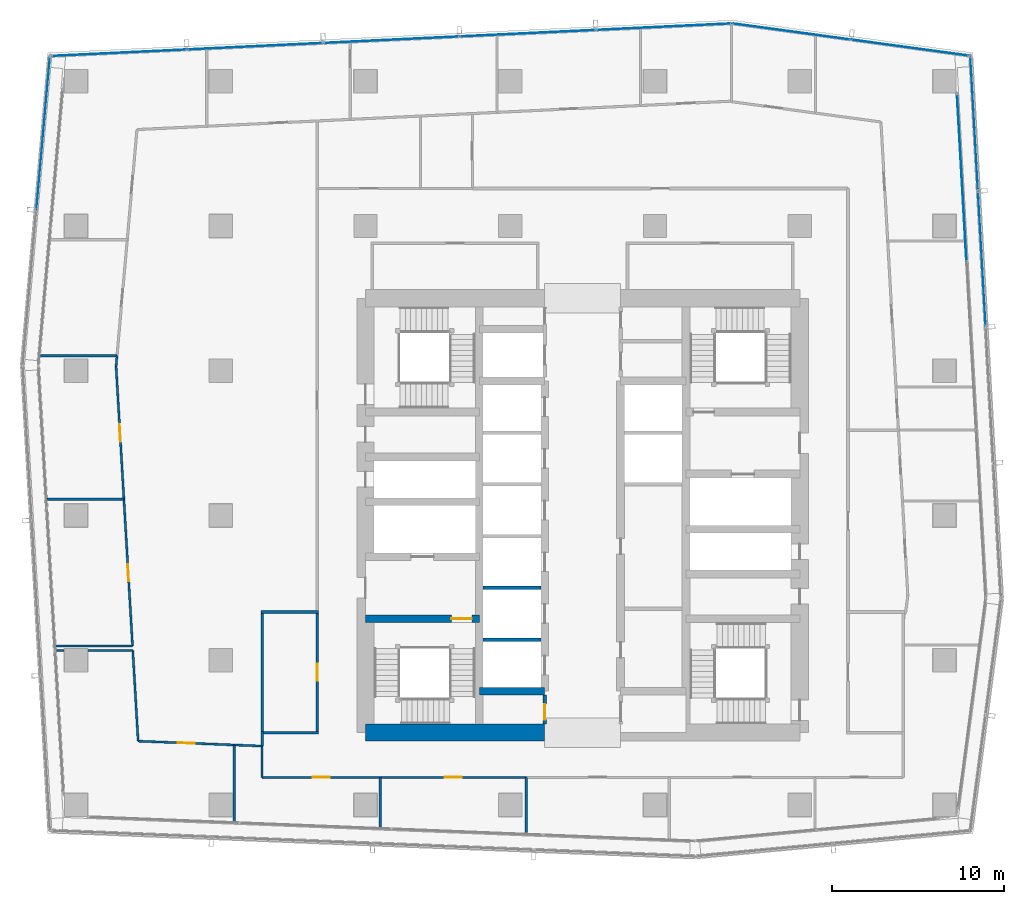
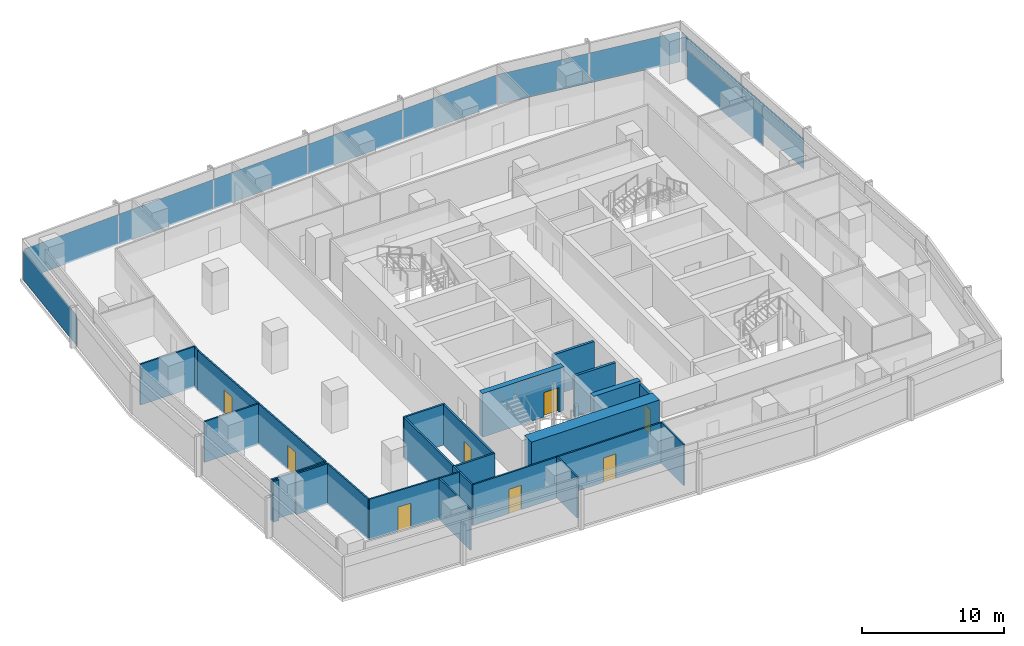
# One storey, part 27 of 39: 28 walls, 11 plates, 8 doors, 8 openings, 5 elements without a shape of their own.
"""IFC4 building model written with IfcOpenShell, lengths in metres."""

from ifc_helpers import new_model, si_unit, direction, frame, frame_2d, origin, origin_2d, place, context, subcontext, project, spatial, rectangle, extrude, material, layer, layer_set, type_object, element, fill, aggregate, save


model = new_model("IFC4")

# Units and contexts
model_context = context("Model", 3, precision=1e-05, world=origin(), true_north=direction((0.0, 1.0)))
body_context = subcontext(model_context, "Body", "Model", "MODEL_VIEW")
ifc_project = project(units=[si_unit("LENGTHUNIT", "METRE"), si_unit("AREAUNIT", "SQUARE_METRE"), si_unit("VOLUMEUNIT", "CUBIC_METRE"), si_unit("PLANEANGLEUNIT", "RADIAN"), si_unit("MASSUNIT", "GRAM", prefix="KILO")], contexts=[model_context])

# Site, building, storey
site_placement = place(None, origin())
site = spatial("IfcSite", under=ifc_project, at=site_placement, CompositionType="ELEMENT")
building_placement = place(site_placement, origin())
building = spatial("IfcBuilding", under=site, at=building_placement, Name="Rekha Terrace Tower", CompositionType="ELEMENT")
storey_placement = place(building_placement, frame((0.0, 0.0, 187.699951171875)))
storey = spatial("IfcBuildingStorey", under=building, at=storey_placement, Name="L47", CompositionType="ELEMENT", Elevation=187.699951171875)

# Curtain wall, plate
ifc_material_1 = material(Name="Aluminium framing", Category="aluminium")
curtain_wall_type_1 = type_object("IfcCurtainWallType", Name="CW1 double skin inner glazing", PredefinedType="USERDEFINED", material=ifc_material_1)
curtain_wall_1_placement = place(storey_placement, origin())
curtain_wall_1 = element("IfcCurtainWall", 1, at=curtain_wall_1_placement, inside=storey, type_object=curtain_wall_type_1, Name="CW1 double skin inner glazing", ObjectType="DOUBLE SKIN INNER GLAZING", PredefinedType="USERDEFINED")
ifc_material_2 = material(Name="Double-glazed low-e unit 32", Category="glass")
ifc_layer_1 = layer(ifc_material_2, 0.031982421875)
ifc_layer_set_1 = layer_set([ifc_layer_1], Name="Double-glazed low-e unit 32")
plate_type_1 = type_object("IfcPlateType", Name="CW1 jumbo vision panel, double-glazed low-e unit 32", PredefinedType="CURTAIN_PANEL", material=ifc_layer_set_1)
plate_1_placement = place(storey_placement, frame((59.799560546875, 53.203369140625, 0.0), z_axis=(0.0, 0.0, 1.0), x_axis=(-0.05667319486, 0.998392782919, 0.0)))
plate_1 = element("IfcPlate", 2, at=plate_1_placement, type_object=plate_type_1, Name="CW1 panel 3.1", PredefinedType="CURTAIN_PANEL", context=body_context, shape_type="SweptSolid", body=[
    extrude(rectangle(XDim=9.694091796875, YDim=0.031982421875, at=origin_2d()), origin(), (0.0, 0.0, 1.0), 2.60009765625),
])
aggregate(curtain_wall_1, [plate_1])

# Curtain wall, plates
curtain_wall_type_2 = type_object("IfcCurtainWallType", Name="CW2 double skin outer glazing", PredefinedType="USERDEFINED", material=ifc_material_1)
curtain_wall_2_placement = place(storey_placement, origin())
curtain_wall_2 = element("IfcCurtainWall", 3, at=curtain_wall_2_placement, inside=storey, type_object=curtain_wall_type_2, Name="CW2 double skin outer glazing", ObjectType="DOUBLE SKIN OUTER GLAZING", PredefinedType="USERDEFINED")
ifc_material_3 = material(Name="Toughened single glazing 12", Category="glass")
ifc_layer_2 = layer(ifc_material_3, 0.011962890625)
ifc_layer_set_2 = layer_set([ifc_layer_2], Name="Toughened single glazing 12")
plate_type_2 = type_object("IfcPlateType", Name="CW2 jumbo vision panel, toughened single glazing 12", PredefinedType="CURTAIN_PANEL", material=ifc_layer_set_2)
plate_2_placement = place(storey_placement, frame((60.9697265625, 48.47314453125, 0.0), z_axis=(0.0, 0.0, 1.0), x_axis=(-0.05667319486, 0.998392782919, 0.0)))
plate_2 = element("IfcPlate", 4, at=plate_2_placement, type_object=plate_type_2, Name="CW2 panel 3.1", PredefinedType="CURTAIN_PANEL", context=body_context, shape_type="SweptSolid", body=[
    extrude(rectangle(XDim=7.823486328125, YDim=0.011962890625, at=origin_2d()), origin(), (0.0, 0.0, 1.0), 2.60009765625),
])
plate_3_placement = place(storey_placement, frame((60.522705078125, 56.343994140625, 0.0), z_axis=(0.0, 0.0, 1.0), x_axis=(-0.05667319486, 0.998392782919, 0.0)))
plate_3 = element("IfcPlate", 5, at=plate_3_placement, type_object=plate_type_2, Name="CW2 panel 4.1", PredefinedType="CURTAIN_PANEL", context=body_context, shape_type="SweptSolid", body=[
    extrude(rectangle(XDim=7.783447265625, YDim=0.011962890625, at=origin_2d()), origin(), (0.0, 0.0, 1.0), 2.60009765625),
])
aggregate(curtain_wall_2, [plate_2, plate_3])

# Curtain wall, plate
curtain_wall_3_placement = place(storey_placement, origin())
curtain_wall_3 = element("IfcCurtainWall", 6, at=curtain_wall_3_placement, inside=storey, type_object=curtain_wall_type_2, Name="CW2 double skin outer glazing", ObjectType="DOUBLE SKIN OUTER GLAZING", PredefinedType="USERDEFINED")
plate_4_placement = place(storey_placement, frame((6.498779296875, 55.78466796875, 0.0), z_axis=(0.0, 0.0, 1.0), x_axis=(-0.087957985453, -0.996124185428, 0.0)))
plate_4 = element("IfcPlate", 7, at=plate_4_placement, type_object=plate_type_2, Name="CW2 panel 1.1", PredefinedType="CURTAIN_PANEL", context=body_context, shape_type="SweptSolid", body=[
    extrude(rectangle(XDim=8.899658203125, YDim=0.011962890625, at=origin_2d()), origin(), (0.0, 0.0, 1.0), 2.60009765625),
])
aggregate(curtain_wall_3, [plate_4])

# Curtain wall, plates
curtain_wall_type_3 = type_object("IfcCurtainWallType", Name="CW3 north unitised glazing", PredefinedType="USERDEFINED", material=ifc_material_1)
curtain_wall_4_placement = place(storey_placement, origin())
curtain_wall_4 = element("IfcCurtainWall", 8, at=curtain_wall_4_placement, inside=storey, type_object=curtain_wall_type_3, Name="CW3 unitised curtain wall", ObjectType="UNITISED CURTAIN WALL", PredefinedType="USERDEFINED")
ifc_material_4 = material(Name="Double-glazed unit 28", Category="glass")
ifc_layer_3 = layer(ifc_material_4, 0.028076171875)
ifc_layer_set_3 = layer_set([ifc_layer_3], Name="Double-glazed unit 28")
plate_type_3 = type_object("IfcPlateType", Name="CW3 jumbo vision panel, double-glazed unit 28", PredefinedType="CURTAIN_PANEL", material=ifc_layer_set_3)
plate_5_placement = place(storey_placement, frame((56.797119140625, 60.745361328125, 0.0), z_axis=(0.0, 0.0, 1.0), x_axis=(-0.990867270504, 0.134840840416, 0.0)))
plate_5 = element("IfcPlate", 9, at=plate_5_placement, type_object=plate_type_3, Name="CW3 panel 1.1", PredefinedType="CURTAIN_PANEL", context=body_context, shape_type="SweptSolid", body=[
    extrude(rectangle(XDim=6.8486328125, YDim=0.028076171875, at=origin_2d()), origin(), (0.0, 0.0, 1.0), 2.60009765625),
])
plate_6_placement = place(storey_placement, frame((49.906982421875, 61.682861328125, 0.0), z_axis=(0.0, 0.0, 1.0), x_axis=(-0.990867270504, 0.134840840416, 0.0)))
plate_6 = element("IfcPlate", 10, at=plate_6_placement, type_object=plate_type_3, Name="CW3 panel 2.1", PredefinedType="CURTAIN_PANEL", context=body_context, shape_type="SweptSolid", body=[
    extrude(rectangle(XDim=6.918701171875, YDim=0.028076171875, at=origin_2d()), origin(), (0.0, 0.0, 1.0), 2.60009765625),
])
aggregate(curtain_wall_4, [plate_5, plate_6])

curtain_wall_5_placement = place(storey_placement, origin())
curtain_wall_5 = element("IfcCurtainWall", 11, at=curtain_wall_5_placement, inside=storey, type_object=curtain_wall_type_3, Name="CW3 unitised curtain wall", ObjectType="UNITISED CURTAIN WALL", PredefinedType="USERDEFINED")
plate_7_placement = place(storey_placement, frame((42.50732421875, 61.95947265625, 0.0), z_axis=(0.0, 0.0, 1.0), x_axis=(-0.998858906204, -0.047758616983, 0.0)))
plate_7 = element("IfcPlate", 12, at=plate_7_placement, type_object=plate_type_3, Name="CW3 panel 1.1", PredefinedType="CURTAIN_PANEL", context=body_context, shape_type="SweptSolid", body=[
    extrude(rectangle(XDim=7.81298828125, YDim=0.028076171875, at=origin_2d()), origin(), (0.0, 0.0, 1.0), 2.60009765625),
])
plate_8_placement = place(storey_placement, frame((34.61572265625, 61.58203125, 0.0), z_axis=(0.0, 0.0, 1.0), x_axis=(-0.998858906204, -0.047758616983, 0.0)))
plate_8 = element("IfcPlate", 13, at=plate_8_placement, type_object=plate_type_3, Name="CW3 panel 2.1", PredefinedType="CURTAIN_PANEL", context=body_context, shape_type="SweptSolid", body=[
    extrude(rectangle(XDim=7.84814453125, YDim=0.028076171875, at=origin_2d()), origin(), (0.0, 0.0, 1.0), 2.60009765625),
])
plate_9_placement = place(storey_placement, frame((26.70654296875, 61.203857421875, 0.0), z_axis=(0.0, 0.0, 1.0), x_axis=(-0.998858906204, -0.047758616983, 0.0)))
plate_9 = element("IfcPlate", 14, at=plate_9_placement, type_object=plate_type_3, Name="CW3 panel 3.1", PredefinedType="CURTAIN_PANEL", context=body_context, shape_type="SweptSolid", body=[
    extrude(rectangle(XDim=7.84814453125, YDim=0.028076171875, at=origin_2d()), origin(), (0.0, 0.0, 1.0), 2.60009765625),
])
plate_10_placement = place(storey_placement, frame((18.79736328125, 60.82568359375, 0.0), z_axis=(0.0, 0.0, 1.0), x_axis=(-0.998858906204, -0.047758616983, 0.0)))
plate_10 = element("IfcPlate", 15, at=plate_10_placement, type_object=plate_type_3, Name="CW3 panel 4.1", PredefinedType="CURTAIN_PANEL", context=body_context, shape_type="SweptSolid", body=[
    extrude(rectangle(XDim=7.84814453125, YDim=0.028076171875, at=origin_2d()), origin(), (0.0, 0.0, 1.0), 2.60009765625),
])
plate_11_placement = place(storey_placement, frame((10.906005859375, 60.448486328125, 0.0), z_axis=(0.0, 0.0, 1.0), x_axis=(-0.998858906204, -0.047758616983, 0.0)))
plate_11 = element("IfcPlate", 16, at=plate_11_placement, type_object=plate_type_3, Name="CW3 panel 5.1", PredefinedType="CURTAIN_PANEL", context=body_context, shape_type="SweptSolid", body=[
    extrude(rectangle(XDim=7.81298828125, YDim=0.028076171875, at=origin_2d()), origin(), (0.0, 0.0, 1.0), 2.60009765625),
])
aggregate(curtain_wall_5, [plate_7, plate_8, plate_9, plate_10, plate_11])

# Wall
ifc_material_5 = material(Name="Concrete M60", Category="concrete")
ifc_layer_4 = layer(ifc_material_5, 0.449951171875)
ifc_layer_set_4 = layer_set([ifc_layer_4], Name="Concrete M60")
wall_type_1 = type_object("IfcWallType", Name="CI3 450 core internal shear wall", PredefinedType="SHEAR", material=ifc_layer_set_4)
wall_1_placement = place(storey_placement, frame((31.800048828125, 23.39990234375, 0.0), z_axis=(0.0, 0.0, 1.0), x_axis=(1.0, 0.0, 0.0)))
element("IfcWall", 17, at=wall_1_placement, inside=storey, type_object=wall_type_1, Name="Core wall Y234W L47", PredefinedType="SHEAR", context=body_context, shape_type="SweptSolid", body=[
    extrude(rectangle(XDim=3.800048828125, YDim=0.449951171875, at=frame_2d((1.89990234375, 0.0))), origin(), (0.0, 0.0, 1.0), 3.75),
])

# Wall, opening, door
wall_2_placement = place(storey_placement, frame((25.199951171875, 27.60009765625, 0.0), z_axis=(0.0, 0.0, 1.0), x_axis=(1.0, 0.0, 0.0)))
wall_2 = element("IfcWall", 18, at=wall_2_placement, inside=storey, type_object=wall_type_1, Name="Core wall Y276W L47", PredefinedType="SHEAR", context=body_context, shape_type="SweptSolid", body=[
    extrude(rectangle(XDim=6.60009765625, YDim=0.449951171875, at=frame_2d((3.300048828125, 0.0))), origin(), (0.0, 0.0, 1.0), 3.75),
])
opening_1_placement = place(wall_2_placement, frame((4.97509765625, 0.0, 0.0)))
opening_1 = element("IfcOpeningElement", 19, at=opening_1_placement, cuts=wall_2, Name="Opening D1", PredefinedType="OPENING", context=body_context, shape_type="SweptSolid", body=[
    extrude(rectangle(XDim=1.199951171875, YDim=2.10009765625, at=frame_2d((0.60009765625, 1.050048828125))), frame((0.0, 0.23486328125, 0.0), z_axis=(0.0, -1.0, 0.0), x_axis=(1.0, 0.0, 0.0)), (0.0, 0.0, 1.0), 0.469970703125),
])
ifc_material_6 = material(Name="Steel fire door", Category="steel")
door_type_1 = type_object("IfcDoorType", Name="D1 1200x2100 stair fire door", OperationType="SINGLE_SWING_RIGHT", PredefinedType="DOOR", material=ifc_material_6)
door_1_placement = place(opening_1_placement, origin())
door_1 = element("IfcDoor", 20, at=door_1_placement, inside=storey, type_object=door_type_1, Name="Stair ST1 door L47", OperationType="SINGLE_SWING_RIGHT", OverallHeight=2.10009765625, OverallWidth=1.199951171875, PredefinedType="DOOR", context=body_context, shape_type="SweptSolid", body=[
    extrude(rectangle(XDim=1.199951171875, YDim=2.10009765625, at=frame_2d((0.60009765625, 1.050048828125))), frame((0.0, 0.02490234375, 0.0), z_axis=(0.0, -1.0, 0.0), x_axis=(1.0, 0.0, 0.0)), (0.0, 0.0, 1.0), 0.050048828125),
])
fill(opening_1, door_1)

# Walls
ifc_layer_5 = layer(ifc_material_5, 1.0)
ifc_layer_set_5 = layer_set([ifc_layer_5], Name="Concrete M60")
wall_type_2 = type_object("IfcWallType", Name="SW3 1000 core outer shear wall", PredefinedType="SHEAR", material=ifc_layer_set_5)
wall_3_placement = place(storey_placement, frame((25.199951171875, 21.0, 0.0), z_axis=(0.0, 0.0, 1.0), x_axis=(1.0, 0.0, 0.0)))
element("IfcWall", 21, at=wall_3_placement, inside=storey, type_object=wall_type_2, Name="Core wall S1 L47", PredefinedType="SHEAR", context=body_context, shape_type="SweptSolid", body=[
    extrude(rectangle(XDim=10.400146484375, YDim=1.0, at=frame_2d((5.2001953125, 0.0))), origin(), (0.0, 0.0, 1.0), 3.75),
])
ifc_material_7 = material(Name="Concrete block masonry, 1 hour", Category="masonry")
ifc_layer_6 = layer(ifc_material_7, 0.14990234375)
ifc_layer_set_6 = layer_set([ifc_layer_6], Name="Concrete block masonry, 1 hour")
wall_type_3 = type_object("IfcWallType", Name="WP2 150 tenancy partition", PredefinedType="PARTITIONING", material=ifc_layer_set_6)
for number, where, z_axis, x_axis, name in (
    (22, (19.125, 21.0, 0.0), (0.0, 0.0, 1.0), (1.0, 0.0, 0.0), "Men's WC wall L47"),
    (23, (19.125, 28.0, 0.0), (0.0, 0.0, 1.0), (1.0, 0.0, 0.0), "Men's WC wall L47"),
):
    element("IfcWall", number, at=place(storey_placement, frame(where, z_axis=z_axis, x_axis=x_axis)), inside=storey, type_object=wall_type_3, Name=name, PredefinedType="PARTITIONING", context=body_context, shape_type="SweptSolid", body=[
        extrude(rectangle(XDim=3.35009765625, YDim=0.14990234375, at=frame_2d((1.675048828125, 0.0))), origin(), (0.0, 0.0, 1.0), 3.5),
    ])
wall_4_placement = place(storey_placement, frame((19.199951171875, 21.074951171875, 0.0), z_axis=(0.0, 0.0, 1.0), x_axis=(0.0, 1.0, 0.0)))
element("IfcWall", 24, at=wall_4_placement, inside=storey, type_object=wall_type_3, Name="Men's WC wall L47", PredefinedType="PARTITIONING", context=body_context, shape_type="SweptSolid", body=[
    extrude(rectangle(XDim=6.85009765625, YDim=0.14990234375, at=frame_2d((3.425048828125, 0.0))), origin(), (0.0, 0.0, 1.0), 3.5),
])

# Wall, opening, door
wall_5_placement = place(storey_placement, frame((22.39990234375, 21.074951171875, 0.0), z_axis=(0.0, 0.0, 1.0), x_axis=(0.0, 1.0, 0.0)))
wall_5 = element("IfcWall", 25, at=wall_5_placement, inside=storey, type_object=wall_type_3, Name="Men's WC wall L47", PredefinedType="PARTITIONING", context=body_context, shape_type="SweptSolid", body=[
    extrude(rectangle(XDim=6.85009765625, YDim=0.14990234375, at=frame_2d((3.425048828125, 0.0))), origin(), (0.0, 0.0, 1.0), 3.5),
])
opening_2_placement = place(wall_5_placement, frame((2.925048828125, 0.0, 0.0)))
opening_2 = element("IfcOpeningElement", 26, at=opening_2_placement, cuts=wall_5, Name="Opening D3", PredefinedType="OPENING", context=body_context, shape_type="SweptSolid", body=[
    extrude(rectangle(XDim=1.0, YDim=2.10009765625, at=frame_2d((0.5, 1.050048828125))), frame((0.0, 0.0849609375, 0.0), z_axis=(0.0, -1.0, 0.0), x_axis=(1.0, 0.0, 0.0)), (0.0, 0.0, 1.0), 0.169921875),
])
ifc_material_8 = material(Name="Laminated timber fire door", Category="wood")
door_type_2 = type_object("IfcDoorType", Name="D3 1000x2100 WC door", OperationType="SINGLE_SWING_LEFT", PredefinedType="DOOR", material=ifc_material_8)
door_2_placement = place(opening_2_placement, origin())
door_2 = element("IfcDoor", 27, at=door_2_placement, inside=storey, type_object=door_type_2, Name="Door men's wc L47", OperationType="SINGLE_SWING_LEFT", OverallHeight=2.10009765625, OverallWidth=1.0, PredefinedType="DOOR", context=body_context, shape_type="SweptSolid", body=[
    extrude(rectangle(XDim=1.0, YDim=2.10009765625, at=frame_2d((0.5, 1.050048828125))), frame((0.0, 0.02490234375, 0.0), z_axis=(0.0, -1.0, 0.0), x_axis=(1.0, 0.0, 0.0)), (0.0, 0.0, 1.0), 0.050048828125),
])
fill(opening_2, door_2)

# Walls
wall_6_placement = place(storey_placement, frame((19.199951171875, 21.074951171875, 0.0), z_axis=(0.0, 0.0, 1.0), x_axis=(0.0, -1.0, 0.0)))
element("IfcWall", 28, at=wall_6_placement, inside=storey, type_object=wall_type_3, Name="Partition L47-O2b", PredefinedType="PARTITIONING", context=body_context, shape_type="SweptSolid", body=[
    extrude(rectangle(XDim=0.85693359375, YDim=0.14990234375, at=frame_2d((0.428466796875, 0.0))), origin(), (0.0, 0.0, 1.0), 3.5),
])
ifc_material_9 = material(Name="Two layers of fire-rated gypsum board each side on steel studs, acoustic quilt, 1 hour", Category="steel")
ifc_layer_7 = layer(ifc_material_9, 0.125)
ifc_layer_set_7 = layer_set([ifc_layer_7], Name="Two layers of fire-rated gypsum board each side on steel studs, acoustic quilt, 1 hour")
wall_type_4 = type_object("IfcWallType", Name="WP3 125 office partition", PredefinedType="PARTITIONING", material=ifc_layer_set_7)
wall_7_placement = place(storey_placement, frame((34.531005859375, 15.181884765625, 0.0), z_axis=(0.0, 0.0, 1.0), x_axis=(0.0, 1.0, 0.0)))
element("IfcWall", 29, at=wall_7_placement, inside=storey, type_object=wall_type_4, Name="Partition L47-02", PredefinedType="PARTITIONING", context=body_context, shape_type="SweptSolid", body=[
    extrude(rectangle(XDim=3.218017578125, YDim=0.125, at=frame_2d((1.60888671875, 0.0))), origin(), (0.0, 0.0, 1.0), 3.5),
])
wall_8_placement = place(storey_placement, frame((7.26708984375, 25.76611328125, 0.0), z_axis=(0.0, 0.0, 1.0), x_axis=(1.0, 0.0, 0.0)))
element("IfcWall", 30, at=wall_8_placement, inside=storey, type_object=wall_type_4, Name="Partition L47-07", PredefinedType="PARTITIONING", context=body_context, shape_type="SweptSolid", body=[
    extrude(rectangle(XDim=0.43798828125, YDim=0.125, at=frame_2d((0.218994140625, 0.0))), origin(), (0.0, 0.0, 1.0), 3.5),
])
wall_9_placement = place(storey_placement, frame((9.094970703125, 25.76611328125, 0.0), z_axis=(0.0, 0.0, 1.0), x_axis=(1.0, 0.0, 0.0)))
element("IfcWall", 31, at=wall_9_placement, inside=storey, type_object=wall_type_4, Name="Partition L47-07", PredefinedType="PARTITIONING", context=body_context, shape_type="SweptSolid", body=[
    extrude(rectangle(XDim=2.60009765625, YDim=0.125, at=frame_2d((1.300048828125, 0.0))), origin(), (0.0, 0.0, 1.0), 3.5),
])
wall_10_placement = place(storey_placement, frame((11.695068359375, 25.76611328125, 0.0), z_axis=(0.0, 0.0, 1.0), x_axis=(0.058784478648, -0.998270697291, 0.0)))
element("IfcWall", 32, at=wall_10_placement, inside=storey, type_object=wall_type_4, Name="Partition L47-07", PredefinedType="PARTITIONING", context=body_context, shape_type="SweptSolid", body=[
    extrude(rectangle(XDim=5.270263671875, YDim=0.125, at=frame_2d((2.63525390625, 0.0))), origin(), (0.0, 0.0, 1.0), 3.5),
])

# Wall, opening, door
wall_11_placement = place(storey_placement, frame((12.0048828125, 20.5048828125, 0.0), z_axis=(0.0, 0.0, 1.0), x_axis=(0.999203122171, -0.039913915407, 0.0)))
wall_11 = element("IfcWall", 33, at=wall_11_placement, inside=storey, type_object=wall_type_4, Name="Partition L47-07", PredefinedType="PARTITIONING", context=body_context, shape_type="SweptSolid", body=[
    extrude(rectangle(XDim=5.58447265625, YDim=0.125, at=frame_2d((2.792236328125, 0.0))), origin(), (0.0, 0.0, 1.0), 3.5),
])
opening_3_placement = place(wall_11_placement, frame((2.2919921875, 0.0, 0.0)))
opening_3 = element("IfcOpeningElement", 34, at=opening_3_placement, cuts=wall_11, Name="Opening D9", PredefinedType="OPENING", context=body_context, shape_type="SweptSolid", body=[
    extrude(rectangle(XDim=1.0, YDim=2.10009765625, at=frame_2d((0.5, 1.050048828125))), frame((0.0, 0.072509765625, 0.0), z_axis=(0.0, -1.0, 0.0), x_axis=(1.0, 0.0, 0.0)), (0.0, 0.0, 1.0), 0.14501953125),
])
ifc_material_10 = material(Name="Timber fire door", Category="wood")
door_type_3 = type_object("IfcDoorType", Name="D9 1000x2100 office door", OperationType="SINGLE_SWING_LEFT", PredefinedType="DOOR", material=ifc_material_10)
door_3_placement = place(opening_3_placement, origin())
door_3 = element("IfcDoor", 35, at=door_3_placement, inside=storey, type_object=door_type_3, Name="Door director's office L47", OperationType="SINGLE_SWING_LEFT", OverallHeight=2.10009765625, OverallWidth=1.0, PredefinedType="DOOR", context=body_context, shape_type="SweptSolid", body=[
    extrude(rectangle(XDim=1.0, YDim=2.10009765625, at=frame_2d((0.5, 1.050048828125))), frame((0.0, 0.02490234375, 0.0), z_axis=(0.0, -1.0, 0.0), x_axis=(1.0, 0.0, 0.0)), (0.0, 0.0, 1.0), 0.050048828125),
])
fill(opening_3, door_3)

# Walls
wall_12_placement = place(storey_placement, frame((17.5849609375, 20.281982421875, 0.0), z_axis=(0.0, 0.0, 1.0), x_axis=(0.0, -1.0, 0.0)))
element("IfcWall", 36, at=wall_12_placement, inside=storey, type_object=wall_type_4, Name="Partition L47-07", PredefinedType="PARTITIONING", context=body_context, shape_type="SweptSolid", body=[
    extrude(rectangle(XDim=4.452880859375, YDim=0.125, at=frame_2d((2.2265625, 0.0))), origin(), (0.0, 0.0, 1.0), 3.5),
])
wall_13_placement = place(storey_placement, frame((17.5859375, 20.281982421875, 0.0), z_axis=(0.0, 0.0, 1.0), x_axis=(0.999215619009, -0.039599832428, 0.0)))
element("IfcWall", 37, at=wall_13_placement, inside=storey, type_object=wall_type_4, Name="Partition L47-08", PredefinedType="PARTITIONING", context=body_context, shape_type="SweptSolid", body=[
    extrude(rectangle(XDim=1.615234375, YDim=0.125, at=frame_2d((0.8076171875, 0.0))), origin(), (0.0, 0.0, 1.0), 3.5),
])
wall_14_placement = place(storey_placement, frame((19.199951171875, 20.218017578125, 0.0), z_axis=(0.0, 0.0, 1.0), x_axis=(0.0, -1.0, 0.0)))
element("IfcWall", 38, at=wall_14_placement, inside=storey, type_object=wall_type_4, Name="Partition L47-08", PredefinedType="PARTITIONING", context=body_context, shape_type="SweptSolid", body=[
    extrude(rectangle(XDim=1.818115234375, YDim=0.125, at=frame_2d((0.9091796875, 0.0))), origin(), (0.0, 0.0, 1.0), 3.5),
])

# Wall, opening, door
wall_15_placement = place(storey_placement, frame((19.199951171875, 18.39990234375, 0.0), z_axis=(0.0, 0.0, 1.0), x_axis=(1.0, 0.0, 0.0)))
wall_15 = element("IfcWall", 39, at=wall_15_placement, inside=storey, type_object=wall_type_4, Name="Partition L47-08", PredefinedType="PARTITIONING", context=body_context, shape_type="SweptSolid", body=[
    extrude(rectangle(XDim=6.85693359375, YDim=0.125, at=frame_2d((3.428466796875, 0.0))), origin(), (0.0, 0.0, 1.0), 3.5),
])
opening_4_placement = place(wall_15_placement, frame((2.927978515625, 0.0, 0.0)))
opening_4 = element("IfcOpeningElement", 40, at=opening_4_placement, cuts=wall_15, Name="Opening D9", PredefinedType="OPENING", context=body_context, shape_type="SweptSolid", body=[
    extrude(rectangle(XDim=1.0, YDim=2.10009765625, at=frame_2d((0.5, 1.050048828125))), frame((0.0, 0.072509765625, 0.0), z_axis=(0.0, -1.0, 0.0), x_axis=(1.0, 0.0, 0.0)), (0.0, 0.0, 1.0), 0.14501953125),
])
door_4_placement = place(opening_4_placement, origin())
door_4 = element("IfcDoor", 41, at=door_4_placement, inside=storey, type_object=door_type_3, Name="Door office L47", OperationType="SINGLE_SWING_LEFT", OverallHeight=2.10009765625, OverallWidth=1.0, PredefinedType="DOOR", context=body_context, shape_type="SweptSolid", body=[
    extrude(rectangle(XDim=1.0, YDim=2.10009765625, at=frame_2d((0.5, 1.050048828125))), frame((0.0, 0.02490234375, 0.0), z_axis=(0.0, -1.0, 0.0), x_axis=(1.0, 0.0, 0.0)), (0.0, 0.0, 1.0), 0.050048828125),
])
fill(opening_4, door_4)

# Wall
wall_16_placement = place(storey_placement, frame((26.056884765625, 18.39990234375, 0.0), z_axis=(0.0, 0.0, 1.0), x_axis=(0.0, -1.0, 0.0)))
element("IfcWall", 42, at=wall_16_placement, inside=storey, type_object=wall_type_4, Name="Partition L47-08", PredefinedType="PARTITIONING", context=body_context, shape_type="SweptSolid", body=[
    extrude(rectangle(XDim=2.909912109375, YDim=0.125, at=frame_2d((1.455078125, 0.0))), origin(), (0.0, 0.0, 1.0), 3.5),
])

# Wall, opening, door
wall_17_placement = place(storey_placement, frame((26.05810546875, 18.39990234375, 0.0), z_axis=(0.0, 0.0, 1.0), x_axis=(1.0, 0.0, 0.0)))
wall_17 = element("IfcWall", 43, at=wall_17_placement, inside=storey, type_object=wall_type_4, Name="Partition L47-09", PredefinedType="PARTITIONING", context=body_context, shape_type="SweptSolid", body=[
    extrude(rectangle(XDim=8.471923828125, YDim=0.125, at=frame_2d((4.23583984375, 0.0))), origin(), (0.0, 0.0, 1.0), 3.5),
])
opening_5_placement = place(wall_17_placement, frame((3.736083984375, 0.0, 0.0)))
opening_5 = element("IfcOpeningElement", 44, at=opening_5_placement, cuts=wall_17, Name="Opening D9", PredefinedType="OPENING", context=body_context, shape_type="SweptSolid", body=[
    extrude(rectangle(XDim=1.0, YDim=2.10009765625, at=frame_2d((0.5, 1.050048828125))), frame((0.0, 0.072509765625, 0.0), z_axis=(0.0, -1.0, 0.0), x_axis=(1.0, 0.0, 0.0)), (0.0, 0.0, 1.0), 0.14501953125),
])
door_5_placement = place(opening_5_placement, origin())
door_5 = element("IfcDoor", 45, at=door_5_placement, inside=storey, type_object=door_type_3, Name="Door meeting room L47", OperationType="SINGLE_SWING_LEFT", OverallHeight=2.10009765625, OverallWidth=1.0, PredefinedType="DOOR", context=body_context, shape_type="SweptSolid", body=[
    extrude(rectangle(XDim=1.0, YDim=2.10009765625, at=frame_2d((0.5, 1.050048828125))), frame((0.0, 0.02490234375, 0.0), z_axis=(0.0, -1.0, 0.0), x_axis=(1.0, 0.0, 0.0)), (0.0, 0.0, 1.0), 0.050048828125),
])
fill(opening_5, door_5)

# Walls
wall_18_placement = place(storey_placement, frame((10.780029296875, 42.87109375, 0.0), z_axis=(0.0, 0.0, 1.0), x_axis=(-1.0, 0.0, 0.0)))
element("IfcWall", 46, at=wall_18_placement, inside=storey, type_object=wall_type_4, Name="Partition L47-19", PredefinedType="PARTITIONING", context=body_context, shape_type="SweptSolid", body=[
    extrude(rectangle(XDim=4.43798828125, YDim=0.125, at=frame_2d((2.218994140625, 0.0))), origin(), (0.0, 0.0, 1.0), 3.5),
])
wall_19_placement = place(storey_placement, frame((11.178955078125, 34.537109375, 0.0), z_axis=(0.0, 0.0, 1.0), x_axis=(-1.0, 0.0, 0.0)))
element("IfcWall", 47, at=wall_19_placement, inside=storey, type_object=wall_type_4, Name="Partition L47-20", PredefinedType="PARTITIONING", context=body_context, shape_type="SweptSolid", body=[
    extrude(rectangle(XDim=4.4580078125, YDim=0.125, at=frame_2d((2.22900390625, 0.0))), origin(), (0.0, 0.0, 1.0), 3.5),
])
wall_20_placement = place(storey_placement, frame((10.780029296875, 42.8701171875, 0.0), z_axis=(0.0, 0.0, 1.0), x_axis=(-0.087962267132, -0.996123807346, 0.0)))
element("IfcWall", 48, at=wall_20_placement, inside=storey, type_object=wall_type_4, Name="Partition L47-20", PredefinedType="PARTITIONING", context=body_context, shape_type="SweptSolid", body=[
    extrude(rectangle(XDim=0.62451171875, YDim=0.125, at=frame_2d((0.312255859375, 0.0))), origin(), (0.0, 0.0, 1.0), 3.5),
])

# Wall, opening, door
wall_21_placement = place(storey_placement, frame((10.72509765625, 42.248046875, 0.0), z_axis=(0.0, 0.0, 1.0), x_axis=(0.058757225461, -0.998272301757, 0.0)))
wall_21 = element("IfcWall", 49, at=wall_21_placement, inside=storey, type_object=wall_type_4, Name="Partition L47-20", PredefinedType="PARTITIONING", context=body_context, shape_type="SweptSolid", body=[
    extrude(rectangle(XDim=7.724365234375, YDim=0.125, at=frame_2d((3.8623046875, 0.0))), origin(), (0.0, 0.0, 1.0), 3.5),
])
opening_6_placement = place(wall_21_placement, frame((3.362060546875, 0.0, 0.0)))
opening_6 = element("IfcOpeningElement", 50, at=opening_6_placement, cuts=wall_21, Name="Opening D9", PredefinedType="OPENING", context=body_context, shape_type="SweptSolid", body=[
    extrude(rectangle(XDim=1.0, YDim=2.10009765625, at=frame_2d((0.5, 1.050048828125))), frame((0.0, 0.072509765625, 0.0), z_axis=(0.0, -1.0, 0.0), x_axis=(1.0, 0.0, 0.0)), (0.0, 0.0, 1.0), 0.14501953125),
])
door_6_placement = place(opening_6_placement, origin())
door_6 = element("IfcDoor", 51, at=door_6_placement, inside=storey, type_object=door_type_3, Name="Door breakout lounge L47", OperationType="SINGLE_SWING_LEFT", OverallHeight=2.10009765625, OverallWidth=1.0, PredefinedType="DOOR", context=body_context, shape_type="SweptSolid", body=[
    extrude(rectangle(XDim=1.0, YDim=2.10009765625, at=frame_2d((0.5, 1.050048828125))), frame((0.0, 0.02490234375, 0.0), z_axis=(0.0, -1.0, 0.0), x_axis=(1.0, 0.0, 0.0)), (0.0, 0.0, 1.0), 0.050048828125),
])
fill(opening_6, door_6)

wall_22_placement = place(storey_placement, frame((11.178955078125, 34.535888671875, 0.0), z_axis=(0.0, 0.0, 1.0), x_axis=(0.058753912615, -0.998272496742, 0.0)))
wall_22 = element("IfcWall", 52, at=wall_22_placement, inside=storey, type_object=wall_type_4, Name="Partition L47-21", PredefinedType="PARTITIONING", context=body_context, shape_type="SweptSolid", body=[
    extrude(rectangle(XDim=8.526611328125, YDim=0.125, at=frame_2d((4.26318359375, 0.0))), origin(), (0.0, 0.0, 1.0), 3.5),
])
opening_7_placement = place(wall_22_placement, frame((3.762939453125, 0.0, 0.0)))
opening_7 = element("IfcOpeningElement", 53, at=opening_7_placement, cuts=wall_22, Name="Opening D9", PredefinedType="OPENING", context=body_context, shape_type="SweptSolid", body=[
    extrude(rectangle(XDim=1.0, YDim=2.10009765625, at=frame_2d((0.5, 1.050048828125))), frame((0.0, 0.072509765625, 0.0), z_axis=(0.0, -1.0, 0.0), x_axis=(1.0, 0.0, 0.0)), (0.0, 0.0, 1.0), 0.14501953125),
])
door_7_placement = place(opening_7_placement, origin())
door_7 = element("IfcDoor", 54, at=door_7_placement, inside=storey, type_object=door_type_3, Name="Door office L47", OperationType="SINGLE_SWING_LEFT", OverallHeight=2.10009765625, OverallWidth=1.0, PredefinedType="DOOR", context=body_context, shape_type="SweptSolid", body=[
    extrude(rectangle(XDim=1.0, YDim=2.10009765625, at=frame_2d((0.5, 1.050048828125))), frame((0.0, 0.02490234375, 0.0), z_axis=(0.0, -1.0, 0.0), x_axis=(1.0, 0.0, 0.0)), (0.0, 0.0, 1.0), 0.050048828125),
])
fill(opening_7, door_7)

# Walls
wall_23_placement = place(storey_placement, frame((11.679931640625, 26.02392578125, 0.0), z_axis=(0.0, 0.0, 1.0), x_axis=(-1.0, 0.0, 0.0)))
element("IfcWall", 55, at=wall_23_placement, inside=storey, type_object=wall_type_4, Name="Partition L47-21", PredefinedType="PARTITIONING", context=body_context, shape_type="SweptSolid", body=[
    extrude(rectangle(XDim=4.4580078125, YDim=0.125, at=frame_2d((2.22900390625, 0.0))), origin(), (0.0, 0.0, 1.0), 3.5),
])
ifc_material_11 = material(Name="Solid concrete block masonry, 2 hour", Category="masonry")
ifc_layer_8 = layer(ifc_material_11, 0.199951171875)
ifc_layer_set_8 = layer_set([ifc_layer_8], Name="Solid concrete block masonry, 2 hour")
wall_type_5 = type_object("IfcWallType", Name="WS1 200 stair and shaft enclosure", PredefinedType="PARTITIONING", material=ifc_layer_set_8)
for number, where, z_axis, x_axis, name in (
    (56, (32.02490234375, 26.39990234375, 0.0), (0.0, 0.0, 1.0), (1.0, 0.0, 0.0), "Lift shaft divider L47"),
    (57, (32.02490234375, 29.39990234375, 0.0), (0.0, 0.0, 1.0), (1.0, 0.0, 0.0), "Lift shaft divider L47"),
):
    element("IfcWall", number, at=place(storey_placement, frame(where, z_axis=z_axis, x_axis=x_axis)), inside=storey, type_object=wall_type_5, Name=name, PredefinedType="PARTITIONING", context=body_context, shape_type="SweptSolid", body=[
        extrude(rectangle(XDim=3.35009765625, YDim=0.199951171875, at=frame_2d((1.675048828125, 0.0))), origin(), (0.0, 0.0, 1.0), 3.5),
    ])

# Wall, opening, door
wall_24_placement = place(storey_placement, frame((35.60009765625, 21.5, 0.0), z_axis=(0.0, 0.0, 1.0), x_axis=(0.0, 1.0, 0.0)))
wall_24 = element("IfcWall", 58, at=wall_24_placement, inside=storey, type_object=wall_type_5, Name="Core partition west L47", PredefinedType="PARTITIONING", context=body_context, shape_type="SweptSolid", body=[
    extrude(rectangle(XDim=1.675048828125, YDim=0.199951171875, at=frame_2d((0.83740234375, 0.0))), origin(), (0.0, 0.0, 1.0), 3.5),
])
opening_8_placement = place(wall_24_placement, frame((0.25, 0.0, 0.0)))
opening_8 = element("IfcOpeningElement", 59, at=opening_8_placement, cuts=wall_24, Name="Opening D5", PredefinedType="OPENING", context=body_context, shape_type="SweptSolid", body=[
    extrude(rectangle(XDim=0.89990234375, YDim=2.10009765625, at=frame_2d((0.449951171875, 1.050048828125))), frame((0.0, 0.10986328125, 0.0), z_axis=(0.0, -1.0, 0.0), x_axis=(1.0, 0.0, 0.0)), (0.0, 0.0, 1.0), 0.219970703125),
])
door_type_4 = type_object("IfcDoorType", Name="D5 900x2100 riser access door", OperationType="SINGLE_SWING_LEFT", PredefinedType="DOOR", material=ifc_material_6)
door_8_placement = place(opening_8_placement, origin())
door_8 = element("IfcDoor", 60, at=door_8_placement, inside=storey, type_object=door_type_4, Name="Door tenant store L47", OperationType="SINGLE_SWING_LEFT", OverallHeight=2.10009765625, OverallWidth=0.89990234375, PredefinedType="DOOR", context=body_context, shape_type="SweptSolid", body=[
    extrude(rectangle(XDim=0.89990234375, YDim=2.10009765625, at=frame_2d((0.449951171875, 1.050048828125))), frame((0.0, 0.02490234375, 0.0), z_axis=(0.0, -1.0, 0.0), x_axis=(1.0, 0.0, 0.0)), (0.0, 0.0, 1.0), 0.050048828125),
])
fill(opening_8, door_8)

save(model, "model.ifc")
